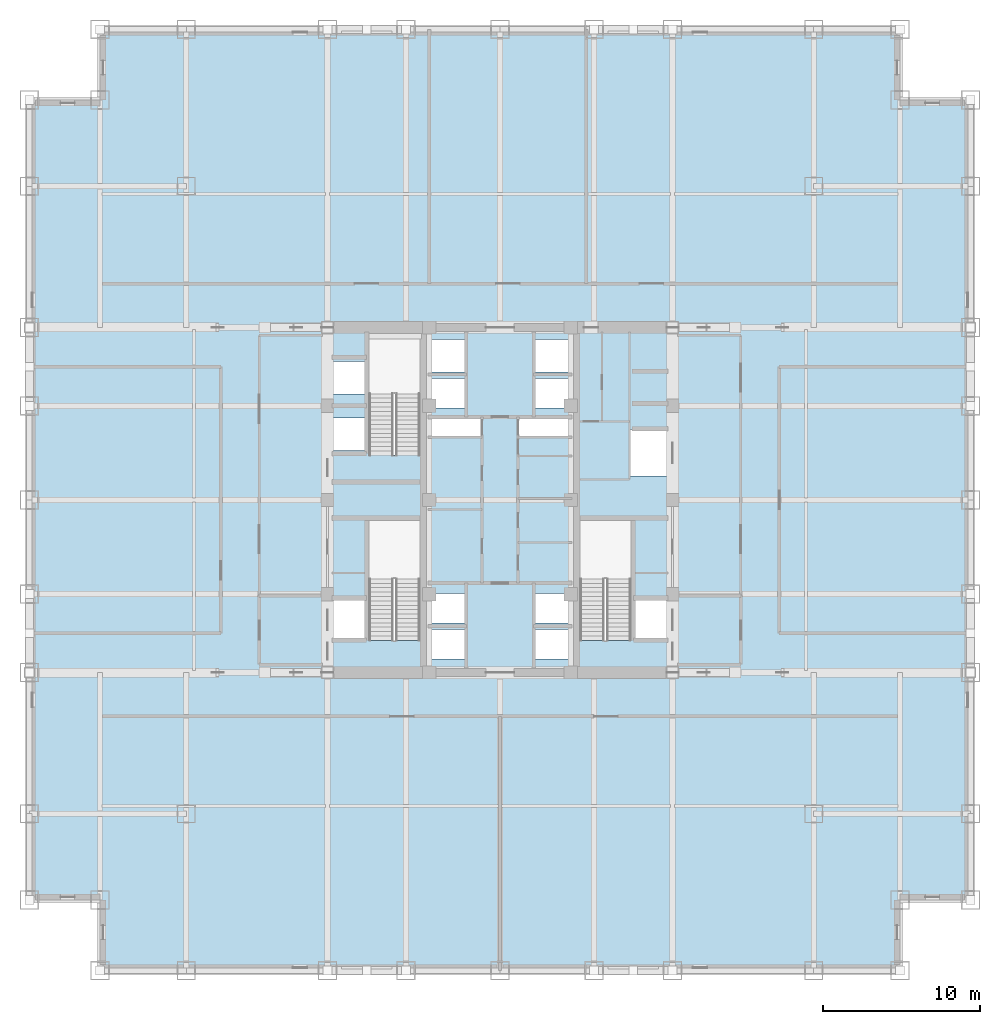
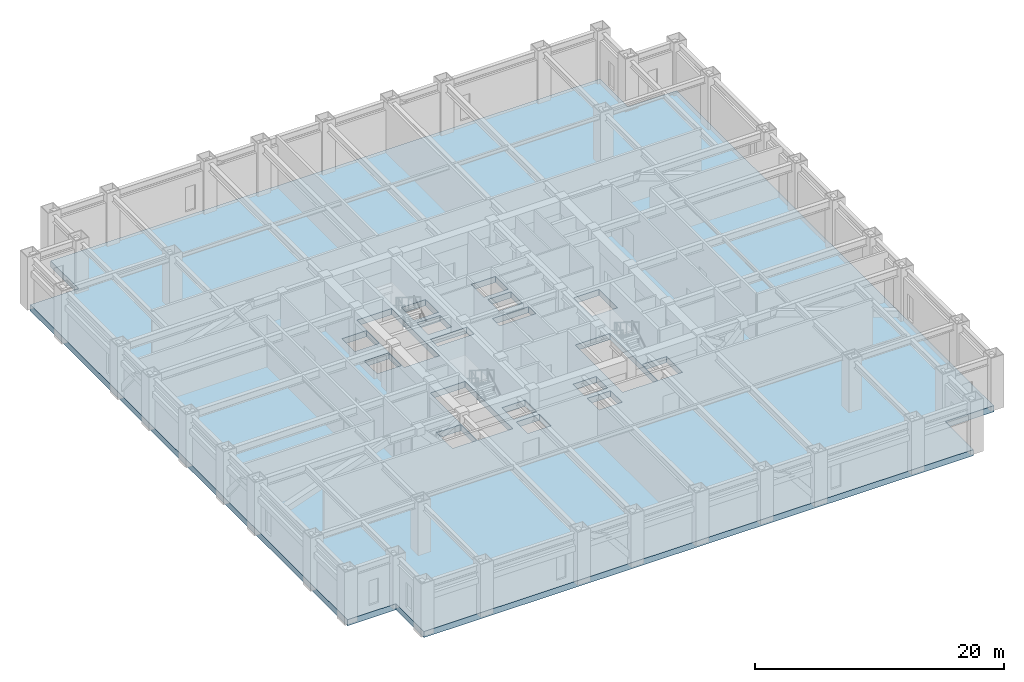
# One storey, part 4 of 12: 1 slab.
"""IFC4 building model written with IfcOpenShell, lengths in metres."""

from ifc_helpers import new_model, si_unit, direction, frame, origin, place, context, subcontext, project, spatial, polyline, outline, extrude, material, layer, layer_set, type_object, element, save


model = new_model("IFC4")

# Units and contexts
model_context = context("Model", 3, precision=1e-05, world=origin(), true_north=direction((0.0, 1.0)))
body_context = subcontext(model_context, "Body", "Model", "MODEL_VIEW")
ifc_project = project(units=[si_unit("LENGTHUNIT", "METRE"), si_unit("AREAUNIT", "SQUARE_METRE"), si_unit("VOLUMEUNIT", "CUBIC_METRE"), si_unit("PLANEANGLEUNIT", "RADIAN"), si_unit("MASSUNIT", "GRAM", prefix="KILO")], contexts=[model_context])

# Site, building, storey
site_placement = place(None, origin())
site = spatial("IfcSite", under=ifc_project, at=site_placement, CompositionType="ELEMENT")
building_placement = place(site_placement, origin())
building = spatial("IfcBuilding", under=site, at=building_placement, Name="Khorayat Bourse Tower", CompositionType="ELEMENT")
storey_placement = place(building_placement, frame((0.0, 0.0, 149.89990234375)))
storey = spatial("IfcBuildingStorey", under=building, at=storey_placement, Name="L34", CompositionType="ELEMENT", Elevation=149.89990234375)

# Slab
ifc_material = material(Name="Concrete C50/60", Category="concrete")
ifc_layer = layer(ifc_material, 0.60009765625)
ifc_layer_set = layer_set([ifc_layer], Name="Concrete C50/60")
slab_type = type_object("IfcSlabType", Name="SLB-TRANS-600", PredefinedType="FLOOR", material=ifc_layer_set)
slab_placement = place(storey_placement, frame((0.0, 0.0, -0.599853515625)))
element("IfcSlab", 1, at=slab_placement, inside=storey, type_object=slab_type, Name="L34 Main Floor Slab", PredefinedType="FLOOR", context=body_context, shape_type="SweptSolid", body=[
    extrude(outline(polyline([(-25.5, -30.0), (25.5, -30.0), (25.5, -25.5), (30.0, -25.5), (30.0, 25.5), (25.5, 25.5), (25.5, 30.0), (-25.5, 30.0), (-25.5, 25.5), (-30.0, 25.5), (-30.0, -25.5), (-25.5, -25.5), (-25.5, -30.0)]), holes=[polyline([(-8.35009765625, -8.945068359375), (-5.10009765625, -8.945068359375), (-5.10009765625, -1.300048828125), (-8.35009765625, -1.300048828125), (-8.35009765625, -8.945068359375)]), polyline([(-8.35009765625, 2.85498046875), (-5.10009765625, 2.85498046875), (-5.10009765625, 10.5), (-8.35009765625, 10.5), (-8.35009765625, 2.85498046875)]), polyline([(5.10009765625, -8.945068359375), (8.35009765625, -8.945068359375), (8.35009765625, -1.300048828125), (5.10009765625, -1.300048828125), (5.10009765625, -8.945068359375)]), polyline([(-4.3798828125, -10.1298828125), (-2.219970703125, -10.1298828125), (-2.219970703125, -8.27001953125), (-4.3798828125, -8.27001953125), (-4.3798828125, -10.1298828125)]), polyline([(2.219970703125, -10.1298828125), (4.3798828125, -10.1298828125), (4.3798828125, -8.27001953125), (2.219970703125, -8.27001953125), (2.219970703125, -10.1298828125)]), polyline([(-4.3798828125, -7.830078125), (-2.219970703125, -7.830078125), (-2.219970703125, -5.969970703125), (-4.3798828125, -5.969970703125), (-4.3798828125, -7.830078125)]), polyline([(2.219970703125, -7.830078125), (4.3798828125, -7.830078125), (4.3798828125, -5.969970703125), (2.219970703125, -5.969970703125), (2.219970703125, -7.830078125)]), polyline([(-4.3798828125, 8.169921875), (-2.1201171875, 8.169921875), (-2.1201171875, 10.22998046875), (-4.3798828125, 10.22998046875), (-4.3798828125, 8.169921875)]), polyline([(2.1201171875, 8.169921875), (4.3798828125, 8.169921875), (4.3798828125, 10.22998046875), (2.1201171875, 10.22998046875), (2.1201171875, 8.169921875)]), polyline([(-4.3798828125, 5.8701171875), (-2.219970703125, 5.8701171875), (-2.219970703125, 7.72998046875), (-4.3798828125, 7.72998046875), (-4.3798828125, 5.8701171875)]), polyline([(2.219970703125, 5.8701171875), (4.3798828125, 5.8701171875), (4.3798828125, 7.72998046875), (2.219970703125, 7.72998046875), (2.219970703125, 5.8701171875)]), polyline([(-10.679931640625, 3.169921875), (-8.419921875, 3.169921875), (-8.419921875, 5.22998046875), (-10.679931640625, 5.22998046875), (-10.679931640625, 3.169921875)]), polyline([(-10.679931640625, 6.77001953125), (-8.419921875, 6.77001953125), (-8.419921875, 8.830078125), (-10.679931640625, 8.830078125), (-10.679931640625, 6.77001953125)]), polyline([(-10.679931640625, -8.929931640625), (-8.419921875, -8.929931640625), (-8.419921875, -6.3701171875), (-10.679931640625, -6.3701171875), (-10.679931640625, -8.929931640625)]), polyline([(8.419921875, -8.929931640625), (10.679931640625, -8.929931640625), (10.679931640625, -6.3701171875), (8.419921875, -6.3701171875), (8.419921875, -8.929931640625)]), polyline([(8.320068359375, 1.52001953125), (10.679931640625, 1.52001953125), (10.679931640625, 4.47998046875), (8.320068359375, 4.47998046875), (8.320068359375, 1.52001953125)]), polyline([(-4.56005859375, 4.080078125), (-1.18994140625, 4.080078125), (-1.18994140625, 5.219970703125), (-4.56005859375, 5.219970703125), (-4.56005859375, 4.080078125)]), polyline([(1.18994140625, 4.080078125), (4.56005859375, 4.080078125), (4.56005859375, 5.219970703125), (1.18994140625, 5.219970703125), (1.18994140625, 4.080078125)])]), origin(), (0.0, 0.0, 1.0), 0.599853515625),
])

save(model, "model.ifc")
